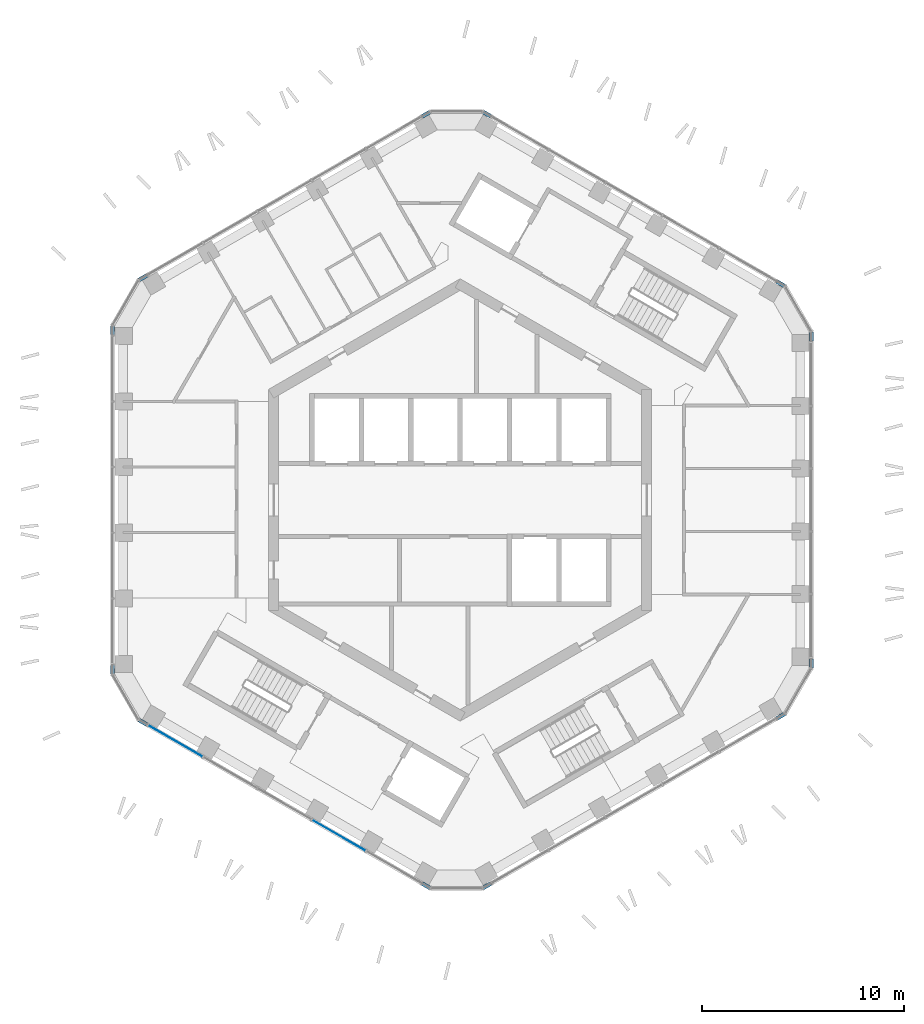
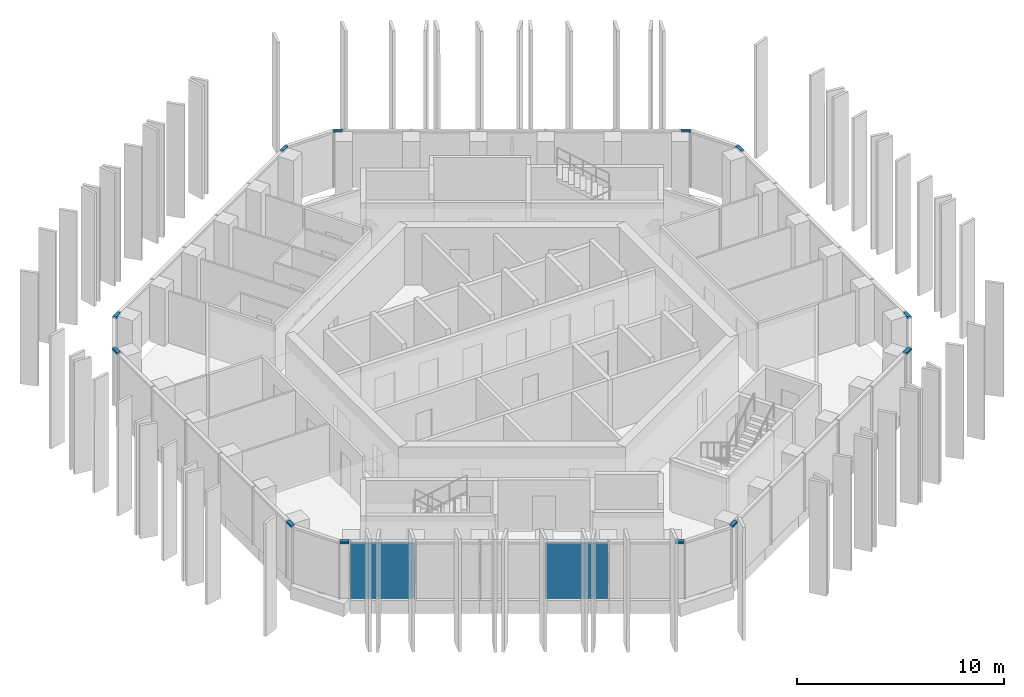
# One storey, part 7 of 18: 12 members, 2 plates, 7 elements without a shape of their own.
"""IFC4 building model written with IfcOpenShell, lengths in metres."""

from ifc_helpers import new_model, si_unit, direction, frame, origin, origin_2d, place, context, subcontext, project, spatial, rectangle, extrude, material, layer, layer_set, material_profile, profile_set, type_object, element, aggregate, save


model = new_model("IFC4")

# Units and contexts
model_context = context("Model", 3, precision=1e-05, world=origin(), true_north=direction((0.0, 1.0)))
body_context = subcontext(model_context, "Body", "Model", "MODEL_VIEW")
ifc_project = project(units=[si_unit("LENGTHUNIT", "METRE"), si_unit("AREAUNIT", "SQUARE_METRE"), si_unit("VOLUMEUNIT", "CUBIC_METRE"), si_unit("PLANEANGLEUNIT", "RADIAN"), si_unit("MASSUNIT", "GRAM", prefix="KILO")], contexts=[model_context])

# Site, building, storey
site_placement = place(None, origin())
site = spatial("IfcSite", under=ifc_project, at=site_placement, CompositionType="ELEMENT")
building_placement = place(site_placement, origin())
building = spatial("IfcBuilding", under=site, at=building_placement, Name="Ayvan Gate Tower", CompositionType="ELEMENT")
storey_placement = place(building_placement, frame((0.0, 0.0, 229.10009765625)))
storey = spatial("IfcBuildingStorey", under=building, at=storey_placement, Name="L61", CompositionType="ELEMENT", Elevation=229.10009765625)

# Curtain wall, members
ifc_material_1 = material(Name="Bronze anodised aluminium", Category="aluminium")
ifc_layer_1 = layer(ifc_material_1, 0.199951171875)
ifc_layer_set_1 = layer_set([ifc_layer_1], Name="Bronze anodised aluminium")
curtain_wall_type_1 = type_object("IfcCurtainWallType", Name="Stick curtain wall CW-6", PredefinedType="NOTDEFINED", material=ifc_layer_set_1)
curtain_wall_1_placement = place(storey_placement, origin())
curtain_wall_1 = element("IfcCurtainWall", 1, at=curtain_wall_1_placement, inside=storey, type_object=curtain_wall_type_1, Name="Stick curtain wall CW-6 L61", PredefinedType="NOTDEFINED")
ifc_material_profile = material_profile(ifc_material_1, rectangle(XDim=0.199951171875, YDim=0.1201171875, at=origin_2d()), Name="Stick curtain wall CW-6 transom 200 x 120")
ifc_profile_set = profile_set([ifc_material_profile], Name="Bronze anodised aluminium")
member_type = type_object("IfcMemberType", Name="Stick curtain wall CW-6 transom 200 x 120", PredefinedType="USERDEFINED", material=ifc_profile_set)
member_1_placement = place(storey_placement, frame((-15.53173828125, 11.138916015625, 3.33984375), z_axis=(-0.866032067792, -0.499988457423, 0.0), x_axis=(0.499988457423, -0.866032067792, 0.0)))
member_1 = element("IfcMember", 2, at=member_1_placement, type_object=member_type, Name="CW-6 transom 1", ObjectType="TRANSOM", PredefinedType="USERDEFINED", context=body_context, shape_type="SweptSolid", body=[
    extrude(rectangle(XDim=0.199951171875, YDim=0.1201171875, at=origin_2d()), origin(), (0.0, 0.0, 1.0), 0.4501953125),
])
member_2_placement = place(storey_placement, frame((-17.234375, 8.639892578125, 3.33984375), z_axis=(0.0, -1.0, 0.0), x_axis=(1.0, 0.0, 0.0)))
member_2 = element("IfcMember", 3, at=member_2_placement, type_object=member_type, Name="CW-6 transom 3", ObjectType="TRANSOM", PredefinedType="USERDEFINED", context=body_context, shape_type="SweptSolid", body=[
    extrude(rectangle(XDim=0.199951171875, YDim=0.1201171875, at=origin_2d()), origin(), (0.0, 0.0, 1.0), 0.449951171875),
])
aggregate(curtain_wall_1, [member_1, member_2])

curtain_wall_2_placement = place(storey_placement, origin())
curtain_wall_2 = element("IfcCurtainWall", 4, at=curtain_wall_2_placement, inside=storey, type_object=curtain_wall_type_1, Name="Stick curtain wall CW-6 L61", PredefinedType="NOTDEFINED")
member_3_placement = place(storey_placement, frame((-17.234375, -8.18994140625, 3.33984375), z_axis=(0.0, -1.0, 0.0), x_axis=(1.0, 0.0, 0.0)))
member_3 = element("IfcMember", 5, at=member_3_placement, type_object=member_type, Name="CW-6 transom 1", ObjectType="TRANSOM", PredefinedType="USERDEFINED", context=body_context, shape_type="SweptSolid", body=[
    extrude(rectangle(XDim=0.199951171875, YDim=0.1201171875, at=origin_2d()), origin(), (0.0, 0.0, 1.0), 0.449951171875),
])
member_4_placement = place(storey_placement, frame((-15.921630859375, -10.913818359375, 3.33984375), z_axis=(0.866032067792, -0.499988457423, 0.0), x_axis=(0.499988457423, 0.866032067792, 0.0)))
member_4 = element("IfcMember", 6, at=member_4_placement, type_object=member_type, Name="CW-6 transom 3", ObjectType="TRANSOM", PredefinedType="USERDEFINED", context=body_context, shape_type="SweptSolid", body=[
    extrude(rectangle(XDim=0.199951171875, YDim=0.1201171875, at=origin_2d()), origin(), (0.0, 0.0, 1.0), 0.4501953125),
])
aggregate(curtain_wall_2, [member_3, member_4])

curtain_wall_3_placement = place(storey_placement, origin())
curtain_wall_3 = element("IfcCurtainWall", 7, at=curtain_wall_3_placement, inside=storey, type_object=curtain_wall_type_1, Name="Stick curtain wall CW-6 L61", PredefinedType="NOTDEFINED")
member_5_placement = place(storey_placement, frame((-1.880615234375, -19.0205078125, 3.33984375), z_axis=(0.866131372301, -0.499816412211, 0.0), x_axis=(0.499816412211, 0.866131372301, 0.0)))
member_5 = element("IfcMember", 8, at=member_5_placement, type_object=member_type, Name="CW-6 transom 1", ObjectType="TRANSOM", PredefinedType="USERDEFINED", context=body_context, shape_type="SweptSolid", body=[
    extrude(rectangle(XDim=0.199951171875, YDim=0.1201171875, at=origin_2d()), origin(), (0.0, 0.0, 1.0), 0.449951171875),
])
member_6_placement = place(storey_placement, frame((1.135009765625, -19.245361328125, 3.33984375), z_axis=(0.866131372301, 0.499816412211, 0.0), x_axis=(-0.499816412211, 0.866131372301, 0.0)))
member_6 = element("IfcMember", 9, at=member_6_placement, type_object=member_type, Name="CW-6 transom 3", ObjectType="TRANSOM", PredefinedType="USERDEFINED", context=body_context, shape_type="SweptSolid", body=[
    extrude(rectangle(XDim=0.199951171875, YDim=0.1201171875, at=origin_2d()), origin(), (0.0, 0.0, 1.0), 0.449951171875),
])
aggregate(curtain_wall_3, [member_5, member_6])

curtain_wall_4_placement = place(storey_placement, origin())
curtain_wall_4 = element("IfcCurtainWall", 10, at=curtain_wall_4_placement, inside=storey, type_object=curtain_wall_type_1, Name="Stick curtain wall CW-6 L61", PredefinedType="NOTDEFINED")
member_7_placement = place(storey_placement, frame((15.7099609375, -10.83056640625, 3.33984375), z_axis=(0.865896406789, 0.500223362819, 0.0), x_axis=(-0.500223362819, 0.865896406789, 0.0)))
member_7 = element("IfcMember", 11, at=member_7_placement, type_object=member_type, Name="CW-6 transom 1", ObjectType="TRANSOM", PredefinedType="USERDEFINED", context=body_context, shape_type="SweptSolid", body=[
    extrude(rectangle(XDim=0.199951171875, YDim=0.1201171875, at=origin_2d()), origin(), (0.0, 0.0, 1.0), 0.449951171875),
])
member_8_placement = place(storey_placement, frame((17.41259765625, -8.33154296875, 3.33984375), z_axis=(0.0, 1.0, 0.0), x_axis=(-1.0, 0.0, 0.0)))
member_8 = element("IfcMember", 12, at=member_8_placement, type_object=member_type, Name="CW-6 transom 3", ObjectType="TRANSOM", PredefinedType="USERDEFINED", context=body_context, shape_type="SweptSolid", body=[
    extrude(rectangle(XDim=0.199951171875, YDim=0.1201171875, at=origin_2d()), origin(), (0.0, 0.0, 1.0), 0.449951171875),
])
aggregate(curtain_wall_4, [member_7, member_8])

curtain_wall_5_placement = place(storey_placement, origin())
curtain_wall_5 = element("IfcCurtainWall", 13, at=curtain_wall_5_placement, inside=storey, type_object=curtain_wall_type_1, Name="Stick curtain wall CW-6 L61", PredefinedType="NOTDEFINED")
member_9_placement = place(storey_placement, frame((17.41259765625, 7.881591796875, 3.33984375), z_axis=(0.0, 1.0, 0.0), x_axis=(-1.0, 0.0, 0.0)))
member_9 = element("IfcMember", 14, at=member_9_placement, type_object=member_type, Name="CW-6 transom 1", ObjectType="TRANSOM", PredefinedType="USERDEFINED", context=body_context, shape_type="SweptSolid", body=[
    extrude(rectangle(XDim=0.199951171875, YDim=0.1201171875, at=origin_2d()), origin(), (0.0, 0.0, 1.0), 0.449951171875),
])
member_10_placement = place(storey_placement, frame((16.099609375, 10.60546875, 3.33984375), z_axis=(-0.865896406789, 0.500223362819, 0.0), x_axis=(-0.500223362819, -0.865896406789, 0.0)))
member_10 = element("IfcMember", 15, at=member_10_placement, type_object=member_type, Name="CW-6 transom 3", ObjectType="TRANSOM", PredefinedType="USERDEFINED", context=body_context, shape_type="SweptSolid", body=[
    extrude(rectangle(XDim=0.199951171875, YDim=0.1201171875, at=origin_2d()), origin(), (0.0, 0.0, 1.0), 0.449951171875),
])
aggregate(curtain_wall_5, [member_9, member_10])

curtain_wall_6_placement = place(storey_placement, origin())
curtain_wall_6 = element("IfcCurtainWall", 16, at=curtain_wall_6_placement, inside=storey, type_object=curtain_wall_type_1, Name="Stick curtain wall CW-6 L61", PredefinedType="NOTDEFINED")
member_11_placement = place(storey_placement, frame((1.524658203125, 19.0205078125, 3.33984375), z_axis=(-0.866131372301, 0.499816412211, 0.0), x_axis=(-0.499816412211, -0.866131372301, 0.0)))
member_11 = element("IfcMember", 17, at=member_11_placement, type_object=member_type, Name="CW-6 transom 1", ObjectType="TRANSOM", PredefinedType="USERDEFINED", context=body_context, shape_type="SweptSolid", body=[
    extrude(rectangle(XDim=0.199951171875, YDim=0.1201171875, at=origin_2d()), origin(), (0.0, 0.0, 1.0), 0.449951171875),
])
member_12_placement = place(storey_placement, frame((-1.490966796875, 19.245361328125, 3.33984375), z_axis=(-0.866131372301, -0.499816412211, 0.0), x_axis=(0.499816412211, -0.866131372301, 0.0)))
member_12 = element("IfcMember", 18, at=member_12_placement, type_object=member_type, Name="CW-6 transom 3", ObjectType="TRANSOM", PredefinedType="USERDEFINED", context=body_context, shape_type="SweptSolid", body=[
    extrude(rectangle(XDim=0.199951171875, YDim=0.1201171875, at=origin_2d()), origin(), (0.0, 0.0, 1.0), 0.449951171875),
])
aggregate(curtain_wall_6, [member_11, member_12])

# Curtain wall, plates
ifc_layer_2 = layer(ifc_material_1, 0.199951171875)
ifc_layer_set_2 = layer_set([ifc_layer_2], Name="Bronze anodised aluminium")
curtain_wall_type_2 = type_object("IfcCurtainWallType", Name="Stick curtain wall CW-2", PredefinedType="NOTDEFINED", material=ifc_layer_set_2)
curtain_wall_7_placement = place(storey_placement, origin())
curtain_wall_7 = element("IfcCurtainWall", 19, at=curtain_wall_7_placement, inside=storey, type_object=curtain_wall_type_2, Name="Stick curtain wall CW-2 L61", PredefinedType="NOTDEFINED")
ifc_material_2 = material(Name="Clear low-iron laminated glass", Category="glass")
ifc_layer_3 = layer(ifc_material_2, 0.028076171875)
ifc_layer_set_3 = layer_set([ifc_layer_3], Name="Clear low-iron laminated glass")
plate_type = type_object("IfcPlateType", Name="Stick curtain wall CW-2 glass panel", PredefinedType="CURTAIN_PANEL", material=ifc_layer_set_3)
plate_1_placement = place(storey_placement, frame((-14.1396484375, -11.942626953125, 0.0), z_axis=(0.0, 0.0, 1.0), x_axis=(0.866025403784, -0.5, 0.0)))
plate_1 = element("IfcPlate", 20, at=plate_1_placement, type_object=plate_type, Name="CW-2 glass panel 1", PredefinedType="CURTAIN_PANEL", context=body_context, shape_type="SweptSolid", body=[
    extrude(rectangle(XDim=3.14501953125, YDim=0.028076171875, at=origin_2d()), origin(), (0.0, 0.0, 1.0), 3.280029296875),
])
plate_2_placement = place(storey_placement, frame((-6.011962890625, -16.63525390625, 0.0), z_axis=(0.0, 0.0, 1.0), x_axis=(0.866025403784, -0.5, 0.0)))
plate_2 = element("IfcPlate", 21, at=plate_2_placement, type_object=plate_type, Name="CW-2 glass panel 4", PredefinedType="CURTAIN_PANEL", context=body_context, shape_type="SweptSolid", body=[
    extrude(rectangle(XDim=3.041015625, YDim=0.028076171875, at=origin_2d()), origin(), (0.0, 0.0, 1.0), 3.280029296875),
])
aggregate(curtain_wall_7, [plate_1, plate_2])

save(model, "model.ifc")
